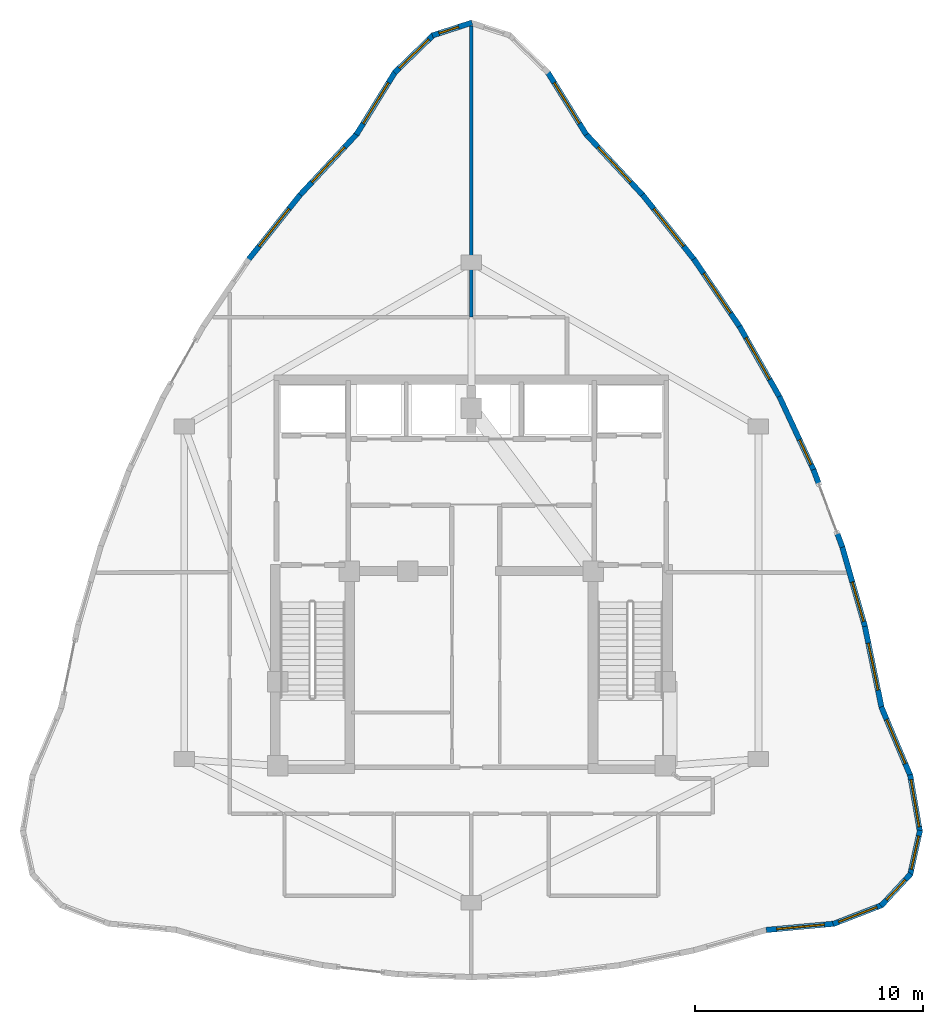
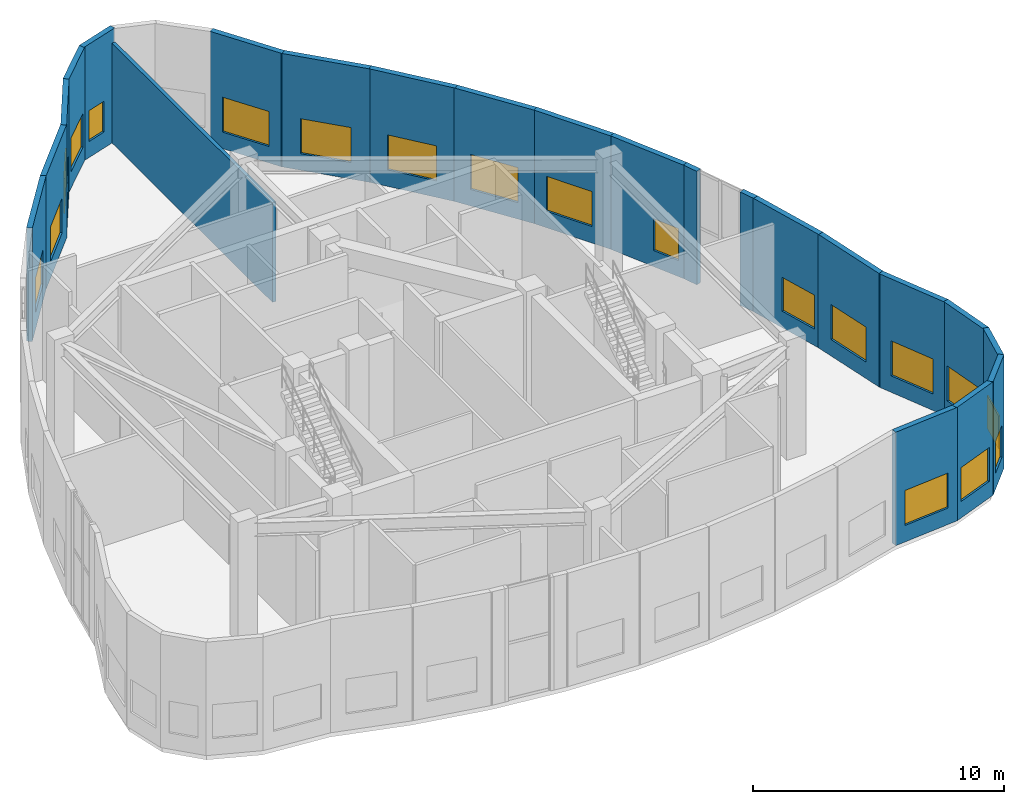
# One storey, part 14 of 16: 22 walls, 19 windows, 19 openings.
"""IFC4 building model written with IfcOpenShell, lengths in metres."""

from ifc_helpers import new_model, si_unit, direction, frame, frame_2d, origin, place, context, subcontext, project, spatial, rectangle, extrude, material, layer, layer_set, type_object, element, fill, save


model = new_model("IFC4")

# Units and contexts
model_context = context("Model", 3, precision=1e-05, world=origin(), true_north=direction((0.0, 1.0)))
body_context = subcontext(model_context, "Body", "Model", "MODEL_VIEW")
ifc_project = project(units=[si_unit("LENGTHUNIT", "METRE"), si_unit("AREAUNIT", "SQUARE_METRE"), si_unit("VOLUMEUNIT", "CUBIC_METRE"), si_unit("PLANEANGLEUNIT", "RADIAN"), si_unit("MASSUNIT", "GRAM", prefix="KILO")], contexts=[model_context])

# Site, building, storey
site_placement = place(None, origin())
site = spatial("IfcSite", under=ifc_project, at=site_placement, CompositionType="ELEMENT")
building_placement = place(site_placement, origin())
building = spatial("IfcBuilding", under=site, at=building_placement, Name="Miruveldt Soraemaru", CompositionType="ELEMENT")
storey_placement = place(building_placement, frame((0.0, 0.0, 289.60009765625)))
storey = spatial("IfcBuildingStorey", under=building, at=storey_placement, Name="L78", CompositionType="ELEMENT", Elevation=289.60009765625)

# Wall, opening, window
ifc_material_1 = material(Name="Precast concrete C45/55 (45 MPa)", Category="concrete")
ifc_layer_1 = layer(ifc_material_1, 0.239990234375, Name="Precast concrete C45/55 (45 MPa)", Category="concrete")
ifc_layer_set_1 = layer_set([ifc_layer_1], Name="Precast concrete C45/55 (45 MPa)")
wall_type_1 = type_object("IfcWallType", Name="WALL-EXT-PC240", PredefinedType="SOLIDWALL", material=ifc_layer_set_1)
wall_1_placement = place(storey_placement, frame((49.047119140625, 63.206787109375, 0.0), z_axis=(0.0, 0.0, 1.0), x_axis=(-0.526057778875, 0.850448830492, 0.0)))
wall_1 = element("IfcWall", 1, at=wall_1_placement, inside=storey, type_object=wall_type_1, Name="L78 Precast Concrete Facade Wall 1", PredefinedType="SOLIDWALL", context=body_context, shape_type="SweptSolid", body=[
    extrude(rectangle(XDim=3.256591796875, YDim=0.239990234375, at=frame_2d((1.62841796875, 0.0))), origin(), (0.0, 0.0, 1.0), 5.510009765625),
])
opening_1_placement = place(wall_1_placement, frame((0.577880859375, 0.0, 0.800048828125)))
opening_1 = element("IfcOpeningElement", 2, at=opening_1_placement, cuts=wall_1, Name="Opening WN-1", PredefinedType="OPENING", context=body_context, shape_type="SweptSolid", body=[
    extrude(rectangle(XDim=2.10009765625, YDim=1.699951171875, at=frame_2d((1.050048828125, 0.85009765625))), frame((0.0, 0.1298828125, 0.0), z_axis=(0.0, -1.0, 0.0), x_axis=(1.0, 0.0, 0.0)), (0.0, 0.0, 1.0), 0.260009765625),
])
ifc_material_2 = material(Name="Triple low-e insulated glazing", Category="glass")
window_type_1 = type_object("IfcWindowType", Name="WIN-PUNCH-2100x1700", PartitioningType="SINGLE_PANEL", PredefinedType="WINDOW", material=ifc_material_2)
window_1_placement = place(opening_1_placement, origin())
window_1 = element("IfcWindow", 3, at=window_1_placement, inside=storey, type_object=window_type_1, Name="L78 Punched Triple-Glazed Window 01.1", OverallHeight=1.699951171875, OverallWidth=2.10009765625, PartitioningType="SINGLE_PANEL", PredefinedType="WINDOW", context=body_context, shape_type="SweptSolid", body=[
    extrude(rectangle(XDim=2.10009765625, YDim=1.699951171875, at=frame_2d((1.050048828125, 0.85009765625))), frame((0.0, 0.030029296875, 0.0), z_axis=(0.0, -1.0, 0.0), x_axis=(1.0, 0.0, 0.0)), (0.0, 0.0, 1.0), 0.06005859375),
])
fill(opening_1, window_1)

wall_2_placement = place(storey_placement, frame((44.033203125, 68.125, 0.0), z_axis=(0.0, 0.0, 1.0), x_axis=(-0.951509938454, -0.307618005036, 0.0)))
wall_2 = element("IfcWall", 4, at=wall_2_placement, inside=storey, type_object=wall_type_1, Name="L78 Precast Concrete Facade Wall 4", PredefinedType="SOLIDWALL", context=body_context, shape_type="SweptSolid", body=[
    extrude(rectangle(XDim=1.831787109375, YDim=0.239990234375, at=frame_2d((0.916015625, 0.0))), origin(), (0.0, 0.0, 1.0), 5.510009765625),
])
opening_2_placement = place(wall_2_placement, frame((0.625, 0.0, 0.780029296875)))
opening_2 = element("IfcOpeningElement", 5, at=opening_2_placement, cuts=wall_2, Name="Opening WN-7", PredefinedType="OPENING", context=body_context, shape_type="SweptSolid", body=[
    extrude(rectangle(XDim=0.89990234375, YDim=1.5, at=frame_2d((0.449951171875, 0.75))), frame((0.0, 0.1298828125, 0.0), z_axis=(0.0, -1.0, 0.0), x_axis=(1.0, 0.0, 0.0)), (0.0, 0.0, 1.0), 0.260009765625),
])
window_type_2 = type_object("IfcWindowType", Name="WIN-PUNCH-900x1500", PartitioningType="SINGLE_PANEL", PredefinedType="WINDOW", material=ifc_material_2)
window_2_placement = place(opening_2_placement, origin())
window_2 = element("IfcWindow", 6, at=window_2_placement, inside=storey, type_object=window_type_2, Name="L78 Punched Triple-Glazed Window 04.1", OverallHeight=1.5, OverallWidth=0.89990234375, PartitioningType="SINGLE_PANEL", PredefinedType="WINDOW", context=body_context, shape_type="SweptSolid", body=[
    extrude(rectangle(XDim=0.89990234375, YDim=1.5, at=frame_2d((0.449951171875, 0.75))), frame((0.0, 0.030029296875, 0.0), z_axis=(0.0, -1.0, 0.0), x_axis=(1.0, 0.0, 0.0)), (0.0, 0.0, 1.0), 0.06005859375),
])
fill(opening_2, window_2)

wall_3_placement = place(storey_placement, frame((42.348876953125, 67.5966796875, 0.0), z_axis=(0.0, 0.0, 1.0), x_axis=(-0.717834290302, -0.69621399847, 0.0)))
wall_3 = element("IfcWall", 7, at=wall_3_placement, inside=storey, type_object=wall_type_1, Name="L78 Precast Concrete Facade Wall 5", PredefinedType="SOLIDWALL", context=body_context, shape_type="SweptSolid", body=[
    extrude(rectangle(XDim=2.4052734375, YDim=0.239990234375, at=frame_2d((1.20263671875, 0.0))), origin(), (0.0, 0.0, 1.0), 5.510009765625),
])
opening_3_placement = place(wall_3_placement, frame((0.302978515625, 0.0, 0.800048828125)))
opening_3 = element("IfcOpeningElement", 8, at=opening_3_placement, cuts=wall_3, Name="Opening WN-2", PredefinedType="OPENING", context=body_context, shape_type="SweptSolid", body=[
    extrude(rectangle(XDim=1.800048828125, YDim=1.64990234375, at=frame_2d((0.89990234375, 0.824951171875))), frame((0.0, 0.1298828125, 0.0), z_axis=(0.0, -1.0, 0.0), x_axis=(1.0, 0.0, 0.0)), (0.0, 0.0, 1.0), 0.260009765625),
])
window_type_3 = type_object("IfcWindowType", Name="WIN-PUNCH-1800x1650", PartitioningType="SINGLE_PANEL", PredefinedType="WINDOW", material=ifc_material_2)
window_3_placement = place(opening_3_placement, origin())
window_3 = element("IfcWindow", 9, at=window_3_placement, inside=storey, type_object=window_type_3, Name="L78 Punched Triple-Glazed Window 05.1", OverallHeight=1.64990234375, OverallWidth=1.800048828125, PartitioningType="SINGLE_PANEL", PredefinedType="WINDOW", context=body_context, shape_type="SweptSolid", body=[
    extrude(rectangle(XDim=1.800048828125, YDim=1.64990234375, at=frame_2d((0.89990234375, 0.824951171875))), frame((0.0, 0.030029296875, 0.0), z_axis=(0.0, -1.0, 0.0), x_axis=(1.0, 0.0, 0.0)), (0.0, 0.0, 1.0), 0.06005859375),
])
fill(opening_3, window_3)

wall_4_placement = place(storey_placement, frame((40.666015625, 65.976318359375, 0.0), z_axis=(0.0, 0.0, 1.0), x_axis=(-0.526057778875, -0.850448830492, 0.0)))
wall_4 = element("IfcWall", 10, at=wall_4_placement, inside=storey, type_object=wall_type_1, Name="L78 Precast Concrete Facade Wall 6", PredefinedType="SOLIDWALL", context=body_context, shape_type="SweptSolid", body=[
    extrude(rectangle(XDim=3.256591796875, YDim=0.239990234375, at=frame_2d((1.62841796875, 0.0))), origin(), (0.0, 0.0, 1.0), 5.510009765625),
])
opening_4_placement = place(wall_4_placement, frame((0.577880859375, 0.0, 0.800048828125)))
opening_4 = element("IfcOpeningElement", 11, at=opening_4_placement, cuts=wall_4, Name="Opening WN-1", PredefinedType="OPENING", context=body_context, shape_type="SweptSolid", body=[
    extrude(rectangle(XDim=2.10009765625, YDim=1.699951171875, at=frame_2d((1.050048828125, 0.85009765625))), frame((0.0, 0.1298828125, 0.0), z_axis=(0.0, -1.0, 0.0), x_axis=(1.0, 0.0, 0.0)), (0.0, 0.0, 1.0), 0.260009765625),
])
window_4_placement = place(opening_4_placement, origin())
window_4 = element("IfcWindow", 12, at=window_4_placement, inside=storey, type_object=window_type_1, Name="L78 Punched Triple-Glazed Window 06.1", OverallHeight=1.699951171875, OverallWidth=2.10009765625, PartitioningType="SINGLE_PANEL", PredefinedType="WINDOW", context=body_context, shape_type="SweptSolid", body=[
    extrude(rectangle(XDim=2.10009765625, YDim=1.699951171875, at=frame_2d((1.050048828125, 0.85009765625))), frame((0.0, 0.030029296875, 0.0), z_axis=(0.0, -1.0, 0.0), x_axis=(1.0, 0.0, 0.0)), (0.0, 0.0, 1.0), 0.06005859375),
])
fill(opening_4, window_4)

wall_5_placement = place(storey_placement, frame((38.9951171875, 63.26220703125, 0.0), z_axis=(0.0, 0.0, 1.0), x_axis=(-0.680900828941, -0.73237562845, 0.0)))
wall_5 = element("IfcWall", 13, at=wall_5_placement, inside=storey, type_object=wall_type_1, Name="L78 Precast Concrete Facade Wall 7", PredefinedType="SOLIDWALL", context=body_context, shape_type="SweptSolid", body=[
    extrude(rectangle(XDim=3.746826171875, YDim=0.239990234375, at=frame_2d((1.87353515625, 0.0))), origin(), (0.0, 0.0, 1.0), 5.510009765625),
])
opening_5_placement = place(wall_5_placement, frame((0.823974609375, 0.0, 0.800048828125)))
opening_5 = element("IfcOpeningElement", 14, at=opening_5_placement, cuts=wall_5, Name="Opening WN-1", PredefinedType="OPENING", context=body_context, shape_type="SweptSolid", body=[
    extrude(rectangle(XDim=2.10009765625, YDim=1.699951171875, at=frame_2d((1.050048828125, 0.85009765625))), frame((0.0, 0.1298828125, 0.0), z_axis=(0.0, -1.0, 0.0), x_axis=(1.0, 0.0, 0.0)), (0.0, 0.0, 1.0), 0.260009765625),
])
window_5_placement = place(opening_5_placement, origin())
window_5 = element("IfcWindow", 15, at=window_5_placement, inside=storey, type_object=window_type_1, Name="L78 Punched Triple-Glazed Window 07.1", OverallHeight=1.699951171875, OverallWidth=2.10009765625, PartitioningType="SINGLE_PANEL", PredefinedType="WINDOW", context=body_context, shape_type="SweptSolid", body=[
    extrude(rectangle(XDim=2.10009765625, YDim=1.699951171875, at=frame_2d((1.050048828125, 0.85009765625))), frame((0.0, 0.030029296875, 0.0), z_axis=(0.0, -1.0, 0.0), x_axis=(1.0, 0.0, 0.0)), (0.0, 0.0, 1.0), 0.06005859375),
])
fill(opening_5, window_5)

wall_6_placement = place(storey_placement, frame((36.489501953125, 60.571044921875, 0.0), z_axis=(0.0, 0.0, 1.0), x_axis=(-0.623610558379, -0.781735167098, 0.0)))
wall_6 = element("IfcWall", 16, at=wall_6_placement, inside=storey, type_object=wall_type_1, Name="L78 Precast Concrete Facade Wall 8", PredefinedType="SOLIDWALL", context=body_context, shape_type="SweptSolid", body=[
    extrude(rectangle(XDim=3.680908203125, YDim=0.239990234375, at=frame_2d((1.84033203125, 0.0))), origin(), (0.0, 0.0, 1.0), 5.510009765625),
])
opening_6_placement = place(wall_6_placement, frame((0.7900390625, 0.0, 0.800048828125)))
opening_6 = element("IfcOpeningElement", 17, at=opening_6_placement, cuts=wall_6, Name="Opening WN-1", PredefinedType="OPENING", context=body_context, shape_type="SweptSolid", body=[
    extrude(rectangle(XDim=2.10009765625, YDim=1.699951171875, at=frame_2d((1.050048828125, 0.85009765625))), frame((0.0, 0.1298828125, 0.0), z_axis=(0.0, -1.0, 0.0), x_axis=(1.0, 0.0, 0.0)), (0.0, 0.0, 1.0), 0.260009765625),
])
window_6_placement = place(opening_6_placement, origin())
window_6 = element("IfcWindow", 18, at=window_6_placement, inside=storey, type_object=window_type_1, Name="L78 Punched Triple-Glazed Window 08.1", OverallHeight=1.699951171875, OverallWidth=2.10009765625, PartitioningType="SINGLE_PANEL", PredefinedType="WINDOW", context=body_context, shape_type="SweptSolid", body=[
    extrude(rectangle(XDim=2.10009765625, YDim=1.699951171875, at=frame_2d((1.050048828125, 0.85009765625))), frame((0.0, 0.030029296875, 0.0), z_axis=(0.0, -1.0, 0.0), x_axis=(1.0, 0.0, 0.0)), (0.0, 0.0, 1.0), 0.06005859375),
])
fill(opening_6, window_6)

wall_7_placement = place(storey_placement, frame((56.943603515625, 28.30078125, 0.0), z_axis=(0.0, 0.0, 1.0), x_axis=(0.99576348704, 0.091951497421, 0.0)))
wall_7 = element("IfcWall", 19, at=wall_7_placement, inside=storey, type_object=wall_type_1, Name="L78 Precast Concrete Facade Wall 29", PredefinedType="SOLIDWALL", context=body_context, shape_type="SweptSolid", body=[
    extrude(rectangle(XDim=3.01611328125, YDim=0.239990234375, at=frame_2d((1.508056640625, 0.0))), origin(), (0.0, 0.0, 1.0), 5.510009765625),
])
opening_7_placement = place(wall_7_placement, frame((0.4580078125, 0.0, 0.800048828125)))
opening_7 = element("IfcOpeningElement", 20, at=opening_7_placement, cuts=wall_7, Name="Opening WN-1", PredefinedType="OPENING", context=body_context, shape_type="SweptSolid", body=[
    extrude(rectangle(XDim=2.10009765625, YDim=1.699951171875, at=frame_2d((1.050048828125, 0.85009765625))), frame((0.0, 0.1298828125, 0.0), z_axis=(0.0, -1.0, 0.0), x_axis=(1.0, 0.0, 0.0)), (0.0, 0.0, 1.0), 0.260009765625),
])
window_7_placement = place(opening_7_placement, origin())
window_7 = element("IfcWindow", 21, at=window_7_placement, inside=storey, type_object=window_type_1, Name="L78 Punched Triple-Glazed Window 29.1", OverallHeight=1.699951171875, OverallWidth=2.10009765625, PartitioningType="SINGLE_PANEL", PredefinedType="WINDOW", context=body_context, shape_type="SweptSolid", body=[
    extrude(rectangle(XDim=2.10009765625, YDim=1.699951171875, at=frame_2d((1.050048828125, 0.85009765625))), frame((0.0, 0.030029296875, 0.0), z_axis=(0.0, -1.0, 0.0), x_axis=(1.0, 0.0, 0.0)), (0.0, 0.0, 1.0), 0.06005859375),
])
fill(opening_7, window_7)

wall_8_placement = place(storey_placement, frame((59.87939453125, 28.562255859375, 0.0), z_axis=(0.0, 0.0, 1.0), x_axis=(0.932277223683, 0.361744631201, 0.0)))
wall_8 = element("IfcWall", 22, at=wall_8_placement, inside=storey, type_object=wall_type_1, Name="L78 Precast Concrete Facade Wall 30", PredefinedType="SOLIDWALL", context=body_context, shape_type="SweptSolid", body=[
    extrude(rectangle(XDim=2.317626953125, YDim=0.239990234375, at=frame_2d((1.15869140625, 0.0))), origin(), (0.0, 0.0, 1.0), 5.510009765625),
])
opening_8_placement = place(wall_8_placement, frame((0.259033203125, 0.0, 0.800048828125)))
opening_8 = element("IfcOpeningElement", 23, at=opening_8_placement, cuts=wall_8, Name="Opening WN-2", PredefinedType="OPENING", context=body_context, shape_type="SweptSolid", body=[
    extrude(rectangle(XDim=1.800048828125, YDim=1.64990234375, at=frame_2d((0.89990234375, 0.824951171875))), frame((0.0, 0.1298828125, 0.0), z_axis=(0.0, -1.0, 0.0), x_axis=(1.0, 0.0, 0.0)), (0.0, 0.0, 1.0), 0.260009765625),
])
window_8_placement = place(opening_8_placement, origin())
window_8 = element("IfcWindow", 24, at=window_8_placement, inside=storey, type_object=window_type_3, Name="L78 Punched Triple-Glazed Window 30.1", OverallHeight=1.64990234375, OverallWidth=1.800048828125, PartitioningType="SINGLE_PANEL", PredefinedType="WINDOW", context=body_context, shape_type="SweptSolid", body=[
    extrude(rectangle(XDim=1.800048828125, YDim=1.64990234375, at=frame_2d((0.89990234375, 0.824951171875))), frame((0.0, 0.030029296875, 0.0), z_axis=(0.0, -1.0, 0.0), x_axis=(1.0, 0.0, 0.0)), (0.0, 0.0, 1.0), 0.06005859375),
])
fill(opening_8, window_8)

wall_9_placement = place(storey_placement, frame((61.983642578125, 29.3623046875, 0.0), z_axis=(0.0, 0.0, 1.0), x_axis=(0.680207000528, 0.733020079147, 0.0)))
wall_9 = element("IfcWall", 25, at=wall_9_placement, inside=storey, type_object=wall_type_1, Name="L78 Precast Concrete Facade Wall 31", PredefinedType="SOLIDWALL", context=body_context, shape_type="SweptSolid", body=[
    extrude(rectangle(XDim=1.91845703125, YDim=0.239990234375, at=frame_2d((0.959228515625, 0.0))), origin(), (0.0, 0.0, 1.0), 5.510009765625),
])
opening_9_placement = place(wall_9_placement, frame((0.35888671875, 0.0, 0.780029296875)))
opening_9 = element("IfcOpeningElement", 26, at=opening_9_placement, cuts=wall_9, Name="Opening WN-4", PredefinedType="OPENING", context=body_context, shape_type="SweptSolid", body=[
    extrude(rectangle(XDim=1.199951171875, YDim=1.550048828125, at=frame_2d((0.60009765625, 0.77490234375))), frame((0.0, 0.1298828125, 0.0), z_axis=(0.0, -1.0, 0.0), x_axis=(1.0, 0.0, 0.0)), (0.0, 0.0, 1.0), 0.260009765625),
])
window_type_4 = type_object("IfcWindowType", Name="WIN-PUNCH-1200x1550", PartitioningType="SINGLE_PANEL", PredefinedType="WINDOW", material=ifc_material_2)
window_9_placement = place(opening_9_placement, origin())
window_9 = element("IfcWindow", 27, at=window_9_placement, inside=storey, type_object=window_type_4, Name="L78 Punched Triple-Glazed Window 31.1", OverallHeight=1.550048828125, OverallWidth=1.199951171875, PartitioningType="SINGLE_PANEL", PredefinedType="WINDOW", context=body_context, shape_type="SweptSolid", body=[
    extrude(rectangle(XDim=1.199951171875, YDim=1.550048828125, at=frame_2d((0.60009765625, 0.77490234375))), frame((0.0, 0.030029296875, 0.0), z_axis=(0.0, -1.0, 0.0), x_axis=(1.0, 0.0, 0.0)), (0.0, 0.0, 1.0), 0.06005859375),
])
fill(opening_9, window_9)

wall_10_placement = place(storey_placement, frame((63.257080078125, 30.70849609375, 0.0), z_axis=(0.0, 0.0, 1.0), x_axis=(0.215671610387, 0.976465952542, 0.0)))
wall_10 = element("IfcWall", 28, at=wall_10_placement, inside=storey, type_object=wall_type_1, Name="L78 Precast Concrete Facade Wall 32", PredefinedType="SOLIDWALL", context=body_context, shape_type="SweptSolid", body=[
    extrude(rectangle(XDim=2.0126953125, YDim=0.239990234375, at=frame_2d((1.00634765625, 0.0))), origin(), (0.0, 0.0, 1.0), 5.510009765625),
])
opening_10_placement = place(wall_10_placement, frame((0.256103515625, 0.0, 0.800048828125)))
opening_10 = element("IfcOpeningElement", 29, at=opening_10_placement, cuts=wall_10, Name="Opening WN-3", PredefinedType="OPENING", context=body_context, shape_type="SweptSolid", body=[
    extrude(rectangle(XDim=1.5, YDim=1.60009765625, at=frame_2d((0.75, 0.800048828125))), frame((0.0, 0.1298828125, 0.0), z_axis=(0.0, -1.0, 0.0), x_axis=(1.0, 0.0, 0.0)), (0.0, 0.0, 1.0), 0.260009765625),
])
window_type_5 = type_object("IfcWindowType", Name="WIN-PUNCH-1500x1600", PartitioningType="SINGLE_PANEL", PredefinedType="WINDOW", material=ifc_material_2)
window_10_placement = place(opening_10_placement, origin())
window_10 = element("IfcWindow", 30, at=window_10_placement, inside=storey, type_object=window_type_5, Name="L78 Punched Triple-Glazed Window 32.1", OverallHeight=1.60009765625, OverallWidth=1.5, PartitioningType="SINGLE_PANEL", PredefinedType="WINDOW", context=body_context, shape_type="SweptSolid", body=[
    extrude(rectangle(XDim=1.5, YDim=1.60009765625, at=frame_2d((0.75, 0.800048828125))), frame((0.0, 0.030029296875, 0.0), z_axis=(0.0, -1.0, 0.0), x_axis=(1.0, 0.0, 0.0)), (0.0, 0.0, 1.0), 0.06005859375),
])
fill(opening_10, window_10)

wall_11_placement = place(storey_placement, frame((63.689697265625, 32.605224609375, 0.0), z_axis=(0.0, 0.0, 1.0), x_axis=(-0.169344618937, 0.985556898427, 0.0)))
wall_11 = element("IfcWall", 31, at=wall_11_placement, inside=storey, type_object=wall_type_1, Name="L78 Precast Concrete Facade Wall 33", PredefinedType="SOLIDWALL", context=body_context, shape_type="SweptSolid", body=[
    extrude(rectangle(XDim=2.544677734375, YDim=0.239990234375, at=frame_2d((1.2724609375, 0.0))), origin(), (0.0, 0.0, 1.0), 5.510009765625),
])
opening_11_placement = place(wall_11_placement, frame((0.222900390625, 0.0, 0.800048828125)))
opening_11 = element("IfcOpeningElement", 32, at=opening_11_placement, cuts=wall_11, Name="Opening WN-1", PredefinedType="OPENING", context=body_context, shape_type="SweptSolid", body=[
    extrude(rectangle(XDim=2.10009765625, YDim=1.699951171875, at=frame_2d((1.050048828125, 0.85009765625))), frame((0.0, 0.1298828125, 0.0), z_axis=(0.0, -1.0, 0.0), x_axis=(1.0, 0.0, 0.0)), (0.0, 0.0, 1.0), 0.260009765625),
])
window_11_placement = place(opening_11_placement, origin())
window_11 = element("IfcWindow", 33, at=window_11_placement, inside=storey, type_object=window_type_1, Name="L78 Punched Triple-Glazed Window 33.1", OverallHeight=1.699951171875, OverallWidth=2.10009765625, PartitioningType="SINGLE_PANEL", PredefinedType="WINDOW", context=body_context, shape_type="SweptSolid", body=[
    extrude(rectangle(XDim=2.10009765625, YDim=1.699951171875, at=frame_2d((1.050048828125, 0.85009765625))), frame((0.0, 0.030029296875, 0.0), z_axis=(0.0, -1.0, 0.0), x_axis=(1.0, 0.0, 0.0)), (0.0, 0.0, 1.0), 0.06005859375),
])
fill(opening_11, window_11)

wall_12_placement = place(storey_placement, frame((63.2783203125, 35.04638671875, 0.0), z_axis=(0.0, 0.0, 1.0), x_axis=(-0.388634854996, 0.921391854469, 0.0)))
wall_12 = element("IfcWall", 34, at=wall_12_placement, inside=storey, type_object=wall_type_1, Name="L78 Precast Concrete Facade Wall 34", PredefinedType="SOLIDWALL", context=body_context, shape_type="SweptSolid", body=[
    extrude(rectangle(XDim=3.304931640625, YDim=0.239990234375, at=frame_2d((1.65234375, 0.0))), origin(), (0.0, 0.0, 1.0), 5.510009765625),
])
opening_12_placement = place(wall_12_placement, frame((0.60302734375, 0.0, 0.800048828125)))
opening_12 = element("IfcOpeningElement", 35, at=opening_12_placement, cuts=wall_12, Name="Opening WN-1", PredefinedType="OPENING", context=body_context, shape_type="SweptSolid", body=[
    extrude(rectangle(XDim=2.10009765625, YDim=1.699951171875, at=frame_2d((1.050048828125, 0.85009765625))), frame((0.0, 0.1298828125, 0.0), z_axis=(0.0, -1.0, 0.0), x_axis=(1.0, 0.0, 0.0)), (0.0, 0.0, 1.0), 0.260009765625),
])
window_12_placement = place(opening_12_placement, origin())
window_12 = element("IfcWindow", 36, at=window_12_placement, inside=storey, type_object=window_type_1, Name="L78 Punched Triple-Glazed Window 34.1", OverallHeight=1.699951171875, OverallWidth=2.10009765625, PartitioningType="SINGLE_PANEL", PredefinedType="WINDOW", context=body_context, shape_type="SweptSolid", body=[
    extrude(rectangle(XDim=2.10009765625, YDim=1.699951171875, at=frame_2d((1.050048828125, 0.85009765625))), frame((0.0, 0.030029296875, 0.0), z_axis=(0.0, -1.0, 0.0), x_axis=(1.0, 0.0, 0.0)), (0.0, 0.0, 1.0), 0.06005859375),
])
fill(opening_12, window_12)

wall_13_placement = place(storey_placement, frame((62.0146484375, 38.025146484375, 0.0), z_axis=(0.0, 0.0, 1.0), x_axis=(-0.201601442207, 0.979467640354, 0.0)))
wall_13 = element("IfcWall", 37, at=wall_13_placement, inside=storey, type_object=wall_type_1, Name="L78 Precast Concrete Facade Wall 35", PredefinedType="SOLIDWALL", context=body_context, shape_type="SweptSolid", body=[
    extrude(rectangle(XDim=3.746826171875, YDim=0.239990234375, at=frame_2d((1.87353515625, 0.0))), origin(), (0.0, 0.0, 1.0), 5.510009765625),
])
opening_13_placement = place(wall_13_placement, frame((0.823974609375, 0.0, 0.800048828125)))
opening_13 = element("IfcOpeningElement", 38, at=opening_13_placement, cuts=wall_13, Name="Opening WN-1", PredefinedType="OPENING", context=body_context, shape_type="SweptSolid", body=[
    extrude(rectangle(XDim=2.10009765625, YDim=1.699951171875, at=frame_2d((1.050048828125, 0.85009765625))), frame((0.0, 0.1298828125, 0.0), z_axis=(0.0, -1.0, 0.0), x_axis=(1.0, 0.0, 0.0)), (0.0, 0.0, 1.0), 0.260009765625),
])
window_13_placement = place(opening_13_placement, origin())
window_13 = element("IfcWindow", 39, at=window_13_placement, inside=storey, type_object=window_type_1, Name="L78 Punched Triple-Glazed Window 35.1", OverallHeight=1.699951171875, OverallWidth=2.10009765625, PartitioningType="SINGLE_PANEL", PredefinedType="WINDOW", context=body_context, shape_type="SweptSolid", body=[
    extrude(rectangle(XDim=2.10009765625, YDim=1.699951171875, at=frame_2d((1.050048828125, 0.85009765625))), frame((0.0, 0.030029296875, 0.0), z_axis=(0.0, -1.0, 0.0), x_axis=(1.0, 0.0, 0.0)), (0.0, 0.0, 1.0), 0.06005859375),
])
fill(opening_13, window_13)

wall_14_placement = place(storey_placement, frame((61.27587890625, 41.627197265625, 0.0), z_axis=(0.0, 0.0, 1.0), x_axis=(-0.274940136743, 0.961461346705, 0.0)))
wall_14 = element("IfcWall", 40, at=wall_14_placement, inside=storey, type_object=wall_type_1, Name="L78 Precast Concrete Facade Wall 36", PredefinedType="SOLIDWALL", context=body_context, shape_type="SweptSolid", body=[
    extrude(rectangle(XDim=3.6806640625, YDim=0.239990234375, at=frame_2d((1.84033203125, 0.0))), origin(), (0.0, 0.0, 1.0), 5.510009765625),
])
opening_14_placement = place(wall_14_placement, frame((0.22607421875, 0.0, 0.800048828125)))
opening_14 = element("IfcOpeningElement", 41, at=opening_14_placement, cuts=wall_14, Name="Opening WN-2", PredefinedType="OPENING", context=body_context, shape_type="SweptSolid", body=[
    extrude(rectangle(XDim=1.800048828125, YDim=1.64990234375, at=frame_2d((0.89990234375, 0.824951171875))), frame((0.0, 0.1298828125, 0.0), z_axis=(0.0, -1.0, 0.0), x_axis=(1.0, 0.0, 0.0)), (0.0, 0.0, 1.0), 0.260009765625),
])
window_14_placement = place(opening_14_placement, origin())
window_14 = element("IfcWindow", 42, at=window_14_placement, inside=storey, type_object=window_type_3, Name="L78 Punched Triple-Glazed Window 36.1", OverallHeight=1.64990234375, OverallWidth=1.800048828125, PartitioningType="SINGLE_PANEL", PredefinedType="WINDOW", context=body_context, shape_type="SweptSolid", body=[
    extrude(rectangle(XDim=1.800048828125, YDim=1.64990234375, at=frame_2d((0.89990234375, 0.824951171875))), frame((0.0, 0.030029296875, 0.0), z_axis=(0.0, -1.0, 0.0), x_axis=(1.0, 0.0, 0.0)), (0.0, 0.0, 1.0), 0.06005859375),
])
fill(opening_14, window_14)

# Walls
wall_15_placement = place(storey_placement, frame((60.28564453125, 45.099609375, 0.0), z_axis=(0.0, 0.0, 1.0), x_axis=(-0.349073246867, 0.937095442483, 0.0)))
element("IfcWall", 43, at=wall_15_placement, inside=storey, type_object=wall_type_1, Name="L78 Precast Pier Left 37", PredefinedType="SOLIDWALL", context=body_context, shape_type="SweptSolid", body=[
    extrude(rectangle(XDim=0.705078125, YDim=0.239990234375, at=frame_2d((0.3525390625, 0.0))), origin(), (0.0, 0.0, 1.0), 5.510009765625),
])
wall_16_placement = place(storey_placement, frame((59.2626953125, 47.84619140625, 0.0), z_axis=(0.0, 0.0, 1.0), x_axis=(-0.348960000238, 0.937137619688, 0.0)))
element("IfcWall", 44, at=wall_16_placement, inside=storey, type_object=wall_type_1, Name="L78 Precast Pier Right 37", PredefinedType="SOLIDWALL", context=body_context, shape_type="SweptSolid", body=[
    extrude(rectangle(XDim=0.705322265625, YDim=0.239990234375, at=frame_2d((0.3525390625, 0.0))), origin(), (0.0, 0.0, 1.0), 5.510009765625),
])

# Wall, opening, window
wall_17_placement = place(storey_placement, frame((59.043701171875, 48.4423828125, 0.0), z_axis=(0.0, 0.0, 1.0), x_axis=(-0.422315808977, 0.906448761645, 0.0)))
wall_17 = element("IfcWall", 45, at=wall_17_placement, inside=storey, type_object=wall_type_1, Name="L78 Precast Concrete Facade Wall 38", PredefinedType="SOLIDWALL", context=body_context, shape_type="SweptSolid", body=[
    extrude(rectangle(XDim=3.61376953125, YDim=0.239990234375, at=frame_2d((1.806884765625, 0.0))), origin(), (0.0, 0.0, 1.0), 5.510009765625),
])
opening_15_placement = place(wall_17_placement, frame((0.318115234375, 0.0, 0.780029296875)))
opening_15 = element("IfcOpeningElement", 46, at=opening_15_placement, cuts=wall_17, Name="Opening WN-4", PredefinedType="OPENING", context=body_context, shape_type="SweptSolid", body=[
    extrude(rectangle(XDim=1.199951171875, YDim=1.550048828125, at=frame_2d((0.60009765625, 0.77490234375))), frame((0.0, 0.1298828125, 0.0), z_axis=(0.0, -1.0, 0.0), x_axis=(1.0, 0.0, 0.0)), (0.0, 0.0, 1.0), 0.260009765625),
])
window_15_placement = place(opening_15_placement, origin())
window_15 = element("IfcWindow", 47, at=window_15_placement, inside=storey, type_object=window_type_4, Name="L78 Punched Triple-Glazed Window 38.1", OverallHeight=1.550048828125, OverallWidth=1.199951171875, PartitioningType="SINGLE_PANEL", PredefinedType="WINDOW", context=body_context, shape_type="SweptSolid", body=[
    extrude(rectangle(XDim=1.199951171875, YDim=1.550048828125, at=frame_2d((0.60009765625, 0.77490234375))), frame((0.0, 0.030029296875, 0.0), z_axis=(0.0, -1.0, 0.0), x_axis=(1.0, 0.0, 0.0)), (0.0, 0.0, 1.0), 0.06005859375),
])
fill(opening_15, window_15)

wall_18_placement = place(storey_placement, frame((57.549560546875, 51.656005859375, 0.0), z_axis=(0.0, 0.0, 1.0), x_axis=(-0.493356891334, 0.869826981516, 0.0)))
wall_18 = element("IfcWall", 48, at=wall_18_placement, inside=storey, type_object=wall_type_1, Name="L78 Precast Concrete Facade Wall 39", PredefinedType="SOLIDWALL", context=body_context, shape_type="SweptSolid", body=[
    extrude(rectangle(XDim=3.613525390625, YDim=0.239990234375, at=frame_2d((1.806640625, 0.0))), origin(), (0.0, 0.0, 1.0), 5.510009765625),
])
opening_16_placement = place(wall_18_placement, frame((0.929931640625, 0.0, 0.800048828125)))
opening_16 = element("IfcOpeningElement", 49, at=opening_16_placement, cuts=wall_18, Name="Opening WN-1", PredefinedType="OPENING", context=body_context, shape_type="SweptSolid", body=[
    extrude(rectangle(XDim=2.10009765625, YDim=1.699951171875, at=frame_2d((1.050048828125, 0.85009765625))), frame((0.0, 0.1298828125, 0.0), z_axis=(0.0, -1.0, 0.0), x_axis=(1.0, 0.0, 0.0)), (0.0, 0.0, 1.0), 0.260009765625),
])
window_16_placement = place(opening_16_placement, origin())
window_16 = element("IfcWindow", 50, at=window_16_placement, inside=storey, type_object=window_type_1, Name="L78 Punched Triple-Glazed Window 39.1", OverallHeight=1.699951171875, OverallWidth=2.10009765625, PartitioningType="SINGLE_PANEL", PredefinedType="WINDOW", context=body_context, shape_type="SweptSolid", body=[
    extrude(rectangle(XDim=2.10009765625, YDim=1.699951171875, at=frame_2d((1.050048828125, 0.85009765625))), frame((0.0, 0.030029296875, 0.0), z_axis=(0.0, -1.0, 0.0), x_axis=(1.0, 0.0, 0.0)), (0.0, 0.0, 1.0), 0.06005859375),
])
fill(opening_16, window_16)

wall_19_placement = place(storey_placement, frame((55.8037109375, 54.739501953125, 0.0), z_axis=(0.0, 0.0, 1.0), x_axis=(-0.560836268371, 0.827926735937, 0.0)))
wall_19 = element("IfcWall", 51, at=wall_19_placement, inside=storey, type_object=wall_type_1, Name="L78 Precast Concrete Facade Wall 40", PredefinedType="SOLIDWALL", context=body_context, shape_type="SweptSolid", body=[
    extrude(rectangle(XDim=3.63623046875, YDim=0.239990234375, at=frame_2d((1.818115234375, 0.0))), origin(), (0.0, 0.0, 1.0), 5.510009765625),
])
opening_17_placement = place(wall_19_placement, frame((0.76806640625, 0.0, 0.800048828125)))
opening_17 = element("IfcOpeningElement", 52, at=opening_17_placement, cuts=wall_19, Name="Opening WN-1", PredefinedType="OPENING", context=body_context, shape_type="SweptSolid", body=[
    extrude(rectangle(XDim=2.10009765625, YDim=1.699951171875, at=frame_2d((1.050048828125, 0.85009765625))), frame((0.0, 0.1298828125, 0.0), z_axis=(0.0, -1.0, 0.0), x_axis=(1.0, 0.0, 0.0)), (0.0, 0.0, 1.0), 0.260009765625),
])
window_17_placement = place(opening_17_placement, origin())
window_17 = element("IfcWindow", 53, at=window_17_placement, inside=storey, type_object=window_type_1, Name="L78 Punched Triple-Glazed Window 40.1", OverallHeight=1.699951171875, OverallWidth=2.10009765625, PartitioningType="SINGLE_PANEL", PredefinedType="WINDOW", context=body_context, shape_type="SweptSolid", body=[
    extrude(rectangle(XDim=2.10009765625, YDim=1.699951171875, at=frame_2d((1.050048828125, 0.85009765625))), frame((0.0, 0.030029296875, 0.0), z_axis=(0.0, -1.0, 0.0), x_axis=(1.0, 0.0, 0.0)), (0.0, 0.0, 1.0), 0.06005859375),
])
fill(opening_17, window_17)

wall_20_placement = place(storey_placement, frame((53.805908203125, 57.693603515625, 0.0), z_axis=(0.0, 0.0, 1.0), x_axis=(-0.623610558379, 0.781735167098, 0.0)))
wall_20 = element("IfcWall", 54, at=wall_20_placement, inside=storey, type_object=wall_type_1, Name="L78 Precast Concrete Facade Wall 41", PredefinedType="SOLIDWALL", context=body_context, shape_type="SweptSolid", body=[
    extrude(rectangle(XDim=3.680908203125, YDim=0.239990234375, at=frame_2d((1.84033203125, 0.0))), origin(), (0.0, 0.0, 1.0), 5.510009765625),
])
opening_18_placement = place(wall_20_placement, frame((0.7900390625, 0.0, 0.800048828125)))
opening_18 = element("IfcOpeningElement", 55, at=opening_18_placement, cuts=wall_20, Name="Opening WN-1", PredefinedType="OPENING", context=body_context, shape_type="SweptSolid", body=[
    extrude(rectangle(XDim=2.10009765625, YDim=1.699951171875, at=frame_2d((1.050048828125, 0.85009765625))), frame((0.0, 0.1298828125, 0.0), z_axis=(0.0, -1.0, 0.0), x_axis=(1.0, 0.0, 0.0)), (0.0, 0.0, 1.0), 0.260009765625),
])
window_18_placement = place(opening_18_placement, origin())
window_18 = element("IfcWindow", 56, at=window_18_placement, inside=storey, type_object=window_type_1, Name="L78 Punched Triple-Glazed Window 41.1", OverallHeight=1.699951171875, OverallWidth=2.10009765625, PartitioningType="SINGLE_PANEL", PredefinedType="WINDOW", context=body_context, shape_type="SweptSolid", body=[
    extrude(rectangle(XDim=2.10009765625, YDim=1.699951171875, at=frame_2d((1.050048828125, 0.85009765625))), frame((0.0, 0.030029296875, 0.0), z_axis=(0.0, -1.0, 0.0), x_axis=(1.0, 0.0, 0.0)), (0.0, 0.0, 1.0), 0.06005859375),
])
fill(opening_18, window_18)

wall_21_placement = place(storey_placement, frame((51.55615234375, 60.51806640625, 0.0), z_axis=(0.0, 0.0, 1.0), x_axis=(-0.680900828941, 0.73237562845, 0.0)))
wall_21 = element("IfcWall", 57, at=wall_21_placement, inside=storey, type_object=wall_type_1, Name="L78 Precast Concrete Facade Wall 42", PredefinedType="SOLIDWALL", context=body_context, shape_type="SweptSolid", body=[
    extrude(rectangle(XDim=3.746826171875, YDim=0.239990234375, at=frame_2d((1.87353515625, 0.0))), origin(), (0.0, 0.0, 1.0), 5.510009765625),
])
opening_19_placement = place(wall_21_placement, frame((0.823974609375, 0.0, 0.800048828125)))
opening_19 = element("IfcOpeningElement", 58, at=opening_19_placement, cuts=wall_21, Name="Opening WN-1", PredefinedType="OPENING", context=body_context, shape_type="SweptSolid", body=[
    extrude(rectangle(XDim=2.10009765625, YDim=1.699951171875, at=frame_2d((1.050048828125, 0.85009765625))), frame((0.0, 0.1298828125, 0.0), z_axis=(0.0, -1.0, 0.0), x_axis=(1.0, 0.0, 0.0)), (0.0, 0.0, 1.0), 0.260009765625),
])
window_19_placement = place(opening_19_placement, origin())
window_19 = element("IfcWindow", 59, at=window_19_placement, inside=storey, type_object=window_type_1, Name="L78 Punched Triple-Glazed Window 42.1", OverallHeight=1.699951171875, OverallWidth=2.10009765625, PartitioningType="SINGLE_PANEL", PredefinedType="WINDOW", context=body_context, shape_type="SweptSolid", body=[
    extrude(rectangle(XDim=2.10009765625, YDim=1.699951171875, at=frame_2d((1.050048828125, 0.85009765625))), frame((0.0, 0.030029296875, 0.0), z_axis=(0.0, -1.0, 0.0), x_axis=(1.0, 0.0, 0.0)), (0.0, 0.0, 1.0), 0.06005859375),
])
fill(opening_19, window_19)

# Wall
ifc_material_3 = material(Name="Concrete C40/50 (40 MPa)", Category="concrete")
ifc_layer_2 = layer(ifc_material_3, 0.159912109375, Name="Concrete C40/50 (40 MPa)", Category="concrete")
ifc_layer_set_2 = layer_set([ifc_layer_2], Name="Concrete C40/50 (40 MPa)")
wall_type_2 = type_object("IfcWallType", Name="WALL-INT-RC160", PredefinedType="SOLIDWALL", material=ifc_layer_set_2)
wall_22_placement = place(storey_placement, frame((44.0, 55.199951171875, 0.0), z_axis=(0.0, 0.0, 1.0), x_axis=(0.0, 1.0, 0.0)))
element("IfcWall", 60, at=wall_22_placement, inside=storey, type_object=wall_type_2, Name="L78 Partition Wall 27", PredefinedType="SOLIDWALL", context=body_context, shape_type="SweptSolid", body=[
    extrude(rectangle(XDim=12.77197265625, YDim=0.159912109375, at=frame_2d((6.385986328125, 0.0))), origin(), (0.0, 0.0, 1.0), 4.847900390625),
])

save(model, "model.ifc")
